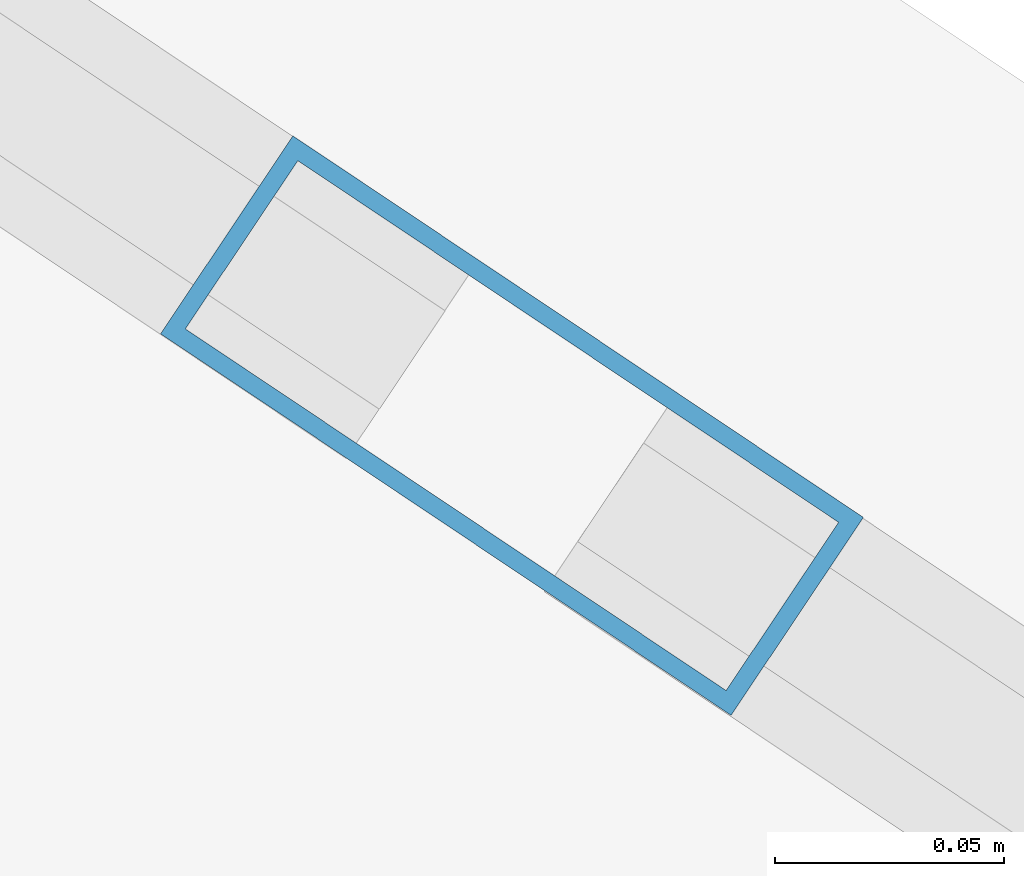
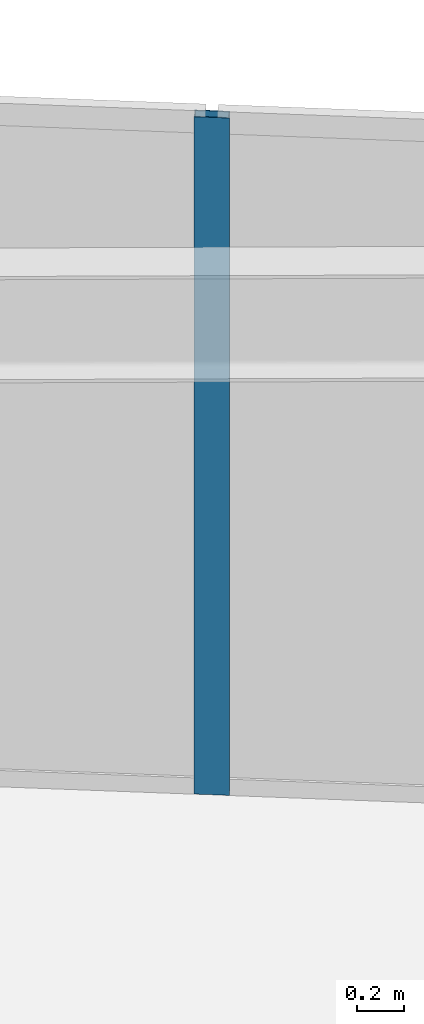
# One storey, part 4 of 21: 1 member, 1 element without a shape of its own.
"""IFC4 building model written with IfcOpenShell, lengths in metres."""

from ifc_helpers import new_model, si_unit, direction, frame, origin, origin_2d, place, context, subcontext, project, spatial, hollow_rectangle, extrude, source, transform, mapped, material, layer, layer_set, material_profile, profile_set, type_object, element, aggregate, save


model = new_model("IFC4")

# Units and contexts
model_context = context("Model", 3, precision=1e-05, world=origin(), true_north=direction((0.0, 1.0)))
body_context = subcontext(model_context, "Body", "Model", "MODEL_VIEW")
ifc_project = project(units=[si_unit("LENGTHUNIT", "METRE"), si_unit("AREAUNIT", "SQUARE_METRE"), si_unit("VOLUMEUNIT", "CUBIC_METRE"), si_unit("PLANEANGLEUNIT", "RADIAN"), si_unit("MASSUNIT", "GRAM", prefix="KILO")], contexts=[model_context])

# Site, building, storey
site_placement = place(None, origin())
site = spatial("IfcSite", under=ifc_project, at=site_placement, CompositionType="ELEMENT")
building_placement = place(site_placement, origin())
building = spatial("IfcBuilding", under=site, at=building_placement, Name="Linh Dai School and Residence Tower", CompositionType="ELEMENT")
storey_placement = place(building_placement, frame((0.0, 0.0, 134.699951171875)))
storey = spatial("IfcBuildingStorey", under=building, at=storey_placement, Name="L32", CompositionType="ELEMENT", Elevation=134.699951171875)

# Curtain wall, member
ifc_material_1 = material(Name="Aluminium Anodised Curtain Wall", Category="aluminium")
ifc_layer = layer(ifc_material_1, 0.14990234375)
ifc_layer_set = layer_set([ifc_layer], Name="Aluminium Anodised Curtain Wall")
curtain_wall_type = type_object("IfcCurtainWallType", Name="CW-SYS-4", PredefinedType="USERDEFINED", material=ifc_layer_set)
curtain_wall_placement = place(storey_placement, origin())
curtain_wall = element("IfcCurtainWall", 1, at=curtain_wall_placement, inside=storey, type_object=curtain_wall_type, Name="L32 CW4 Curtain Wall 06", ObjectType="RIBBON CURTAIN WALL", PredefinedType="USERDEFINED")
ifc_material_2 = material(Name="Aluminium Alloy 6063-T6", Category="aluminium")
ifc_material_profile = material_profile(ifc_material_2, hollow_rectangle(XDim=0.052001953125, YDim=0.14990234375, WallThickness=0.00390625, at=origin_2d()), Name="RHS 150x52x4")
ifc_profile_set = profile_set([ifc_material_profile], Name="Aluminium Alloy 6063-T6")
member_type = type_object("IfcMemberType", Name="CW-SYS-4-MUL", PredefinedType="MULLION", material=ifc_profile_set)
shared_shape = source(origin(), body_context, "Body", "SweptSolid", [
    extrude(hollow_rectangle(XDim=0.052001953125, YDim=0.14990234375, WallThickness=0.00390625, at=origin_2d()), origin(), (0.0, 0.0, 1.0), 3.5),
])
member_placement = place(storey_placement, frame((54.641845703125, 44.051513671875, 0.0), z_axis=(0.0, 0.0, 1.0), x_axis=(0.555913198527, 0.831240347736, 0.0)))
member = element("IfcMember", 2, at=member_placement, type_object=member_type, Name="CW4 mullion 2", PredefinedType="MULLION", context=body_context, shape_type="MappedRepresentation", body=[
    mapped(shared_shape, transform((0.0, 0.0, 0.0), x_axis=(1.0, 0.0, 0.0), y_axis=(0.0, 1.0, 0.0), z_axis=(0.0, 0.0, 1.0), scale=1.0)),
])
aggregate(curtain_wall, [member])

save(model, "model.ifc")
